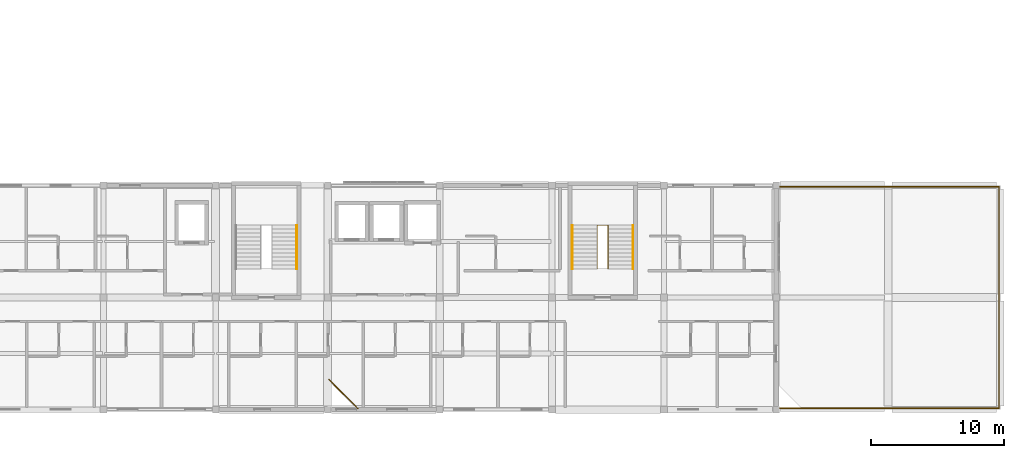
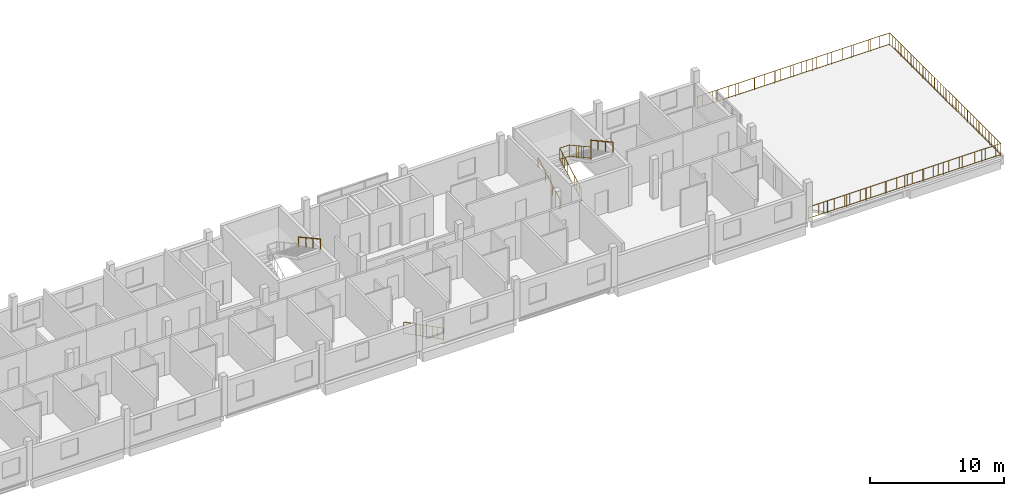
# One storey, part 19 of 20: 8 railings.
"""IFC4 building model written with IfcOpenShell, lengths in metres."""

from ifc_helpers import new_model, si_unit, derived_unit, direction, frame, origin, origin_2d, place, context, subcontext, project, spatial, circle, extrude, material, layer, layer_set, type_object, element, save


model = new_model("IFC4")

# Units and contexts
model_context = context("Model", 3, precision=1e-05, world=origin(), true_north=direction((0.0, 1.0)))
body_context = subcontext(model_context, "Body", "Model", "MODEL_VIEW")
ifc_project = project(units=[si_unit("LENGTHUNIT", "METRE"), si_unit("AREAUNIT", "SQUARE_METRE"), si_unit("VOLUMEUNIT", "CUBIC_METRE"), si_unit("PLANEANGLEUNIT", "RADIAN"), si_unit("MASSUNIT", "GRAM", prefix="KILO"), derived_unit("THERMALTRANSMITTANCEUNIT", [(si_unit("POWERUNIT", "WATT"), 1), (si_unit("LENGTHUNIT", "METRE"), -2), (si_unit("THERMODYNAMICTEMPERATUREUNIT", "KELVIN"), -1)])], contexts=[model_context])

# Site, building, storey
site_placement = place(None, origin())
site = spatial("IfcSite", under=ifc_project, at=site_placement, CompositionType="ELEMENT")
building_placement = place(site_placement, origin())
building = spatial("IfcBuilding", under=site, at=building_placement, Name="Barrovel Congress Hotel", CompositionType="ELEMENT")
storey_placement = place(building_placement, frame((0.0, 0.0, 39.89990234375)))
storey = spatial("IfcBuildingStorey", under=building, at=storey_placement, Name="L10", CompositionType="ELEMENT", Elevation=39.89990234375)

# Railings
ifc_material_1 = material(Name="Painted Architectural Steel", Category="steel")
ifc_layer_1 = layer(ifc_material_1, 0.080078125)
ifc_layer_set_1 = layer_set([ifc_layer_1], Name="Painted Architectural Steel")
railing_type_1 = type_object("IfcRailingType", Name="RAIL-GUARD-EXT", PredefinedType="BALUSTRADE", material=ifc_layer_set_1)
railing_1_placement = place(storey_placement, frame((117.699951171875, 4.300048828125, 0.0)))
element("IfcRailing", 1, at=railing_1_placement, inside=storey, type_object=railing_type_1, Name="L10 East Terrace Guardrail 1", PredefinedType="BALUSTRADE", context=body_context, shape_type="SweptSolid", body=[
    extrude(circle(Radius=0.02392578125, at=origin_2d()), frame((0.0, 0.0, 1.11572265625), z_axis=(1.0, 0.0, 0.0), x_axis=(0.0, 1.0, 0.0)), (0.0, 0.0, 1.0), 16.60009765625),
    extrude(circle(Radius=0.02392578125, at=origin_2d()), frame((0.0, 0.0, 0.10009765625), z_axis=(1.0, 0.0, 0.0), x_axis=(0.0, 1.0, 0.0)), (0.0, 0.0, 1.0), 16.60009765625),
    extrude(circle(Radius=0.010009765625, at=origin_2d()), frame((0.44873046875, 0.0, 0.10009765625)), (0.0, 0.0, 1.0), 0.99169921875),
    extrude(circle(Radius=0.010009765625, at=origin_2d()), frame((0.897216796875, 0.0, 0.10009765625)), (0.0, 0.0, 1.0), 0.99169921875),
    extrude(circle(Radius=0.010009765625, at=origin_2d()), frame((1.345947265625, 0.0, 0.10009765625)), (0.0, 0.0, 1.0), 0.99169921875),
    extrude(circle(Radius=0.010009765625, at=origin_2d()), frame((1.794677734375, 0.0, 0.10009765625)), (0.0, 0.0, 1.0), 0.99169921875),
    extrude(circle(Radius=0.010009765625, at=origin_2d()), frame((2.2431640625, 0.0, 0.10009765625)), (0.0, 0.0, 1.0), 0.99169921875),
    extrude(circle(Radius=0.010009765625, at=origin_2d()), frame((2.69189453125, 0.0, 0.10009765625)), (0.0, 0.0, 1.0), 0.99169921875),
    extrude(circle(Radius=0.010009765625, at=origin_2d()), frame((3.140625, 0.0, 0.10009765625)), (0.0, 0.0, 1.0), 0.99169921875),
    extrude(circle(Radius=0.010009765625, at=origin_2d()), frame((3.589111328125, 0.0, 0.10009765625)), (0.0, 0.0, 1.0), 0.99169921875),
    extrude(circle(Radius=0.010009765625, at=origin_2d()), frame((4.037841796875, 0.0, 0.10009765625)), (0.0, 0.0, 1.0), 0.99169921875),
    extrude(circle(Radius=0.010009765625, at=origin_2d()), frame((4.486572265625, 0.0, 0.10009765625)), (0.0, 0.0, 1.0), 0.99169921875),
    extrude(circle(Radius=0.010009765625, at=origin_2d()), frame((4.93505859375, 0.0, 0.10009765625)), (0.0, 0.0, 1.0), 0.99169921875),
    extrude(circle(Radius=0.010009765625, at=origin_2d()), frame((5.3837890625, 0.0, 0.10009765625)), (0.0, 0.0, 1.0), 0.99169921875),
    extrude(circle(Radius=0.010009765625, at=origin_2d()), frame((5.83251953125, 0.0, 0.10009765625)), (0.0, 0.0, 1.0), 0.99169921875),
    extrude(circle(Radius=0.010009765625, at=origin_2d()), frame((6.281005859375, 0.0, 0.10009765625)), (0.0, 0.0, 1.0), 0.99169921875),
    extrude(circle(Radius=0.010009765625, at=origin_2d()), frame((6.729736328125, 0.0, 0.10009765625)), (0.0, 0.0, 1.0), 0.99169921875),
    extrude(circle(Radius=0.010009765625, at=origin_2d()), frame((7.178466796875, 0.0, 0.10009765625)), (0.0, 0.0, 1.0), 0.99169921875),
    extrude(circle(Radius=0.010009765625, at=origin_2d()), frame((7.626953125, 0.0, 0.10009765625)), (0.0, 0.0, 1.0), 0.99169921875),
    extrude(circle(Radius=0.010009765625, at=origin_2d()), frame((8.07568359375, 0.0, 0.10009765625)), (0.0, 0.0, 1.0), 0.99169921875),
    extrude(circle(Radius=0.010009765625, at=origin_2d()), frame((8.5244140625, 0.0, 0.10009765625)), (0.0, 0.0, 1.0), 0.99169921875),
    extrude(circle(Radius=0.010009765625, at=origin_2d()), frame((8.97314453125, 0.0, 0.10009765625)), (0.0, 0.0, 1.0), 0.99169921875),
    extrude(circle(Radius=0.010009765625, at=origin_2d()), frame((9.421630859375, 0.0, 0.10009765625)), (0.0, 0.0, 1.0), 0.99169921875),
    extrude(circle(Radius=0.010009765625, at=origin_2d()), frame((9.870361328125, 0.0, 0.10009765625)), (0.0, 0.0, 1.0), 0.99169921875),
    extrude(circle(Radius=0.010009765625, at=origin_2d()), frame((10.319091796875, 0.0, 0.10009765625)), (0.0, 0.0, 1.0), 0.99169921875),
    extrude(circle(Radius=0.010009765625, at=origin_2d()), frame((10.767578125, 0.0, 0.10009765625)), (0.0, 0.0, 1.0), 0.99169921875),
    extrude(circle(Radius=0.010009765625, at=origin_2d()), frame((11.21630859375, 0.0, 0.10009765625)), (0.0, 0.0, 1.0), 0.99169921875),
    extrude(circle(Radius=0.010009765625, at=origin_2d()), frame((11.6650390625, 0.0, 0.10009765625)), (0.0, 0.0, 1.0), 0.99169921875),
    extrude(circle(Radius=0.010009765625, at=origin_2d()), frame((12.113525390625, 0.0, 0.10009765625)), (0.0, 0.0, 1.0), 0.99169921875),
    extrude(circle(Radius=0.010009765625, at=origin_2d()), frame((12.562255859375, 0.0, 0.10009765625)), (0.0, 0.0, 1.0), 0.99169921875),
    extrude(circle(Radius=0.010009765625, at=origin_2d()), frame((13.010986328125, 0.0, 0.10009765625)), (0.0, 0.0, 1.0), 0.99169921875),
    extrude(circle(Radius=0.010009765625, at=origin_2d()), frame((13.45947265625, 0.0, 0.10009765625)), (0.0, 0.0, 1.0), 0.99169921875),
    extrude(circle(Radius=0.010009765625, at=origin_2d()), frame((13.908203125, 0.0, 0.10009765625)), (0.0, 0.0, 1.0), 0.99169921875),
    extrude(circle(Radius=0.010009765625, at=origin_2d()), frame((14.35693359375, 0.0, 0.10009765625)), (0.0, 0.0, 1.0), 0.99169921875),
    extrude(circle(Radius=0.010009765625, at=origin_2d()), frame((14.805419921875, 0.0, 0.10009765625)), (0.0, 0.0, 1.0), 0.99169921875),
    extrude(circle(Radius=0.010009765625, at=origin_2d()), frame((15.254150390625, 0.0, 0.10009765625)), (0.0, 0.0, 1.0), 0.99169921875),
    extrude(circle(Radius=0.010009765625, at=origin_2d()), frame((15.702880859375, 0.0, 0.10009765625)), (0.0, 0.0, 1.0), 0.99169921875),
    extrude(circle(Radius=0.010009765625, at=origin_2d()), frame((16.1513671875, 0.0, 0.10009765625)), (0.0, 0.0, 1.0), 0.99169921875),
    extrude(circle(Radius=0.02099609375, at=origin_2d()), origin(), (0.0, 0.0, 1.0), 1.091796875),
    extrude(circle(Radius=0.02099609375, at=origin_2d()), frame((1.659912109375, 0.0, 0.0)), (0.0, 0.0, 1.0), 1.091796875),
    extrude(circle(Radius=0.02099609375, at=origin_2d()), frame((3.320068359375, 0.0, 0.0)), (0.0, 0.0, 1.0), 1.091796875),
    extrude(circle(Radius=0.02099609375, at=origin_2d()), frame((4.97998046875, 0.0, 0.0)), (0.0, 0.0, 1.0), 1.091796875),
    extrude(circle(Radius=0.02099609375, at=origin_2d()), frame((6.64013671875, 0.0, 0.0)), (0.0, 0.0, 1.0), 1.091796875),
    extrude(circle(Radius=0.02099609375, at=origin_2d()), frame((8.300048828125, 0.0, 0.0)), (0.0, 0.0, 1.0), 1.091796875),
    extrude(circle(Radius=0.02099609375, at=origin_2d()), frame((9.9599609375, 0.0, 0.0)), (0.0, 0.0, 1.0), 1.091796875),
    extrude(circle(Radius=0.02099609375, at=origin_2d()), frame((11.6201171875, 0.0, 0.0)), (0.0, 0.0, 1.0), 1.091796875),
    extrude(circle(Radius=0.02099609375, at=origin_2d()), frame((13.280029296875, 0.0, 0.0)), (0.0, 0.0, 1.0), 1.091796875),
    extrude(circle(Radius=0.02099609375, at=origin_2d()), frame((14.940185546875, 0.0, 0.0)), (0.0, 0.0, 1.0), 1.091796875),
    extrude(circle(Radius=0.02099609375, at=origin_2d()), frame((16.60009765625, 0.0, 0.0)), (0.0, 0.0, 1.0), 1.091796875),
])
railing_2_placement = place(storey_placement, frame((134.300048828125, 4.300048828125, 0.0)))
element("IfcRailing", 2, at=railing_2_placement, inside=storey, type_object=railing_type_1, Name="L10 East Terrace Guardrail 2", PredefinedType="BALUSTRADE", context=body_context, shape_type="SweptSolid", body=[
    extrude(circle(Radius=0.02392578125, at=origin_2d()), frame((0.0, 0.0, 1.11572265625), z_axis=(0.0, 1.0, 0.0), x_axis=(-1.0, 0.0, 0.0)), (0.0, 0.0, 1.0), 16.599853515625),
    extrude(circle(Radius=0.02392578125, at=origin_2d()), frame((0.0, 0.0, 0.10009765625), z_axis=(0.0, 1.0, 0.0), x_axis=(-1.0, 0.0, 0.0)), (0.0, 0.0, 1.0), 16.599853515625),
    extrude(circle(Radius=0.010009765625, at=origin_2d()), frame((0.0, 0.44873046875, 0.10009765625)), (0.0, 0.0, 1.0), 0.99169921875),
    extrude(circle(Radius=0.010009765625, at=origin_2d()), frame((0.0, 0.897216796875, 0.10009765625)), (0.0, 0.0, 1.0), 0.99169921875),
    extrude(circle(Radius=0.010009765625, at=origin_2d()), frame((0.0, 1.345947265625, 0.10009765625)), (0.0, 0.0, 1.0), 0.99169921875),
    extrude(circle(Radius=0.010009765625, at=origin_2d()), frame((0.0, 1.794677734375, 0.10009765625)), (0.0, 0.0, 1.0), 0.99169921875),
    extrude(circle(Radius=0.010009765625, at=origin_2d()), frame((0.0, 2.2431640625, 0.10009765625)), (0.0, 0.0, 1.0), 0.99169921875),
    extrude(circle(Radius=0.010009765625, at=origin_2d()), frame((0.0, 2.69189453125, 0.10009765625)), (0.0, 0.0, 1.0), 0.99169921875),
    extrude(circle(Radius=0.010009765625, at=origin_2d()), frame((0.0, 3.140625, 0.10009765625)), (0.0, 0.0, 1.0), 0.99169921875),
    extrude(circle(Radius=0.010009765625, at=origin_2d()), frame((0.0, 3.589111328125, 0.10009765625)), (0.0, 0.0, 1.0), 0.99169921875),
    extrude(circle(Radius=0.010009765625, at=origin_2d()), frame((0.0, 4.037841796875, 0.10009765625)), (0.0, 0.0, 1.0), 0.99169921875),
    extrude(circle(Radius=0.010009765625, at=origin_2d()), frame((0.0, 4.486328125, 0.10009765625)), (0.0, 0.0, 1.0), 0.99169921875),
    extrude(circle(Radius=0.010009765625, at=origin_2d()), frame((0.0, 4.93505859375, 0.10009765625)), (0.0, 0.0, 1.0), 0.99169921875),
    extrude(circle(Radius=0.010009765625, at=origin_2d()), frame((0.0, 5.3837890625, 0.10009765625)), (0.0, 0.0, 1.0), 0.99169921875),
    extrude(circle(Radius=0.010009765625, at=origin_2d()), frame((0.0, 5.832275390625, 0.10009765625)), (0.0, 0.0, 1.0), 0.99169921875),
    extrude(circle(Radius=0.010009765625, at=origin_2d()), frame((0.0, 6.281005859375, 0.10009765625)), (0.0, 0.0, 1.0), 0.99169921875),
    extrude(circle(Radius=0.010009765625, at=origin_2d()), frame((0.0, 6.729736328125, 0.10009765625)), (0.0, 0.0, 1.0), 0.99169921875),
    extrude(circle(Radius=0.010009765625, at=origin_2d()), frame((0.0, 7.17822265625, 0.10009765625)), (0.0, 0.0, 1.0), 0.99169921875),
    extrude(circle(Radius=0.010009765625, at=origin_2d()), frame((0.0, 7.626953125, 0.10009765625)), (0.0, 0.0, 1.0), 0.99169921875),
    extrude(circle(Radius=0.010009765625, at=origin_2d()), frame((0.0, 8.07568359375, 0.10009765625)), (0.0, 0.0, 1.0), 0.99169921875),
    extrude(circle(Radius=0.010009765625, at=origin_2d()), frame((0.0, 8.524169921875, 0.10009765625)), (0.0, 0.0, 1.0), 0.99169921875),
    extrude(circle(Radius=0.010009765625, at=origin_2d()), frame((0.0, 8.972900390625, 0.10009765625)), (0.0, 0.0, 1.0), 0.99169921875),
    extrude(circle(Radius=0.010009765625, at=origin_2d()), frame((0.0, 9.421630859375, 0.10009765625)), (0.0, 0.0, 1.0), 0.99169921875),
    extrude(circle(Radius=0.010009765625, at=origin_2d()), frame((0.0, 9.8701171875, 0.10009765625)), (0.0, 0.0, 1.0), 0.99169921875),
    extrude(circle(Radius=0.010009765625, at=origin_2d()), frame((0.0, 10.31884765625, 0.10009765625)), (0.0, 0.0, 1.0), 0.99169921875),
    extrude(circle(Radius=0.010009765625, at=origin_2d()), frame((0.0, 10.767578125, 0.10009765625)), (0.0, 0.0, 1.0), 0.99169921875),
    extrude(circle(Radius=0.010009765625, at=origin_2d()), frame((0.0, 11.216064453125, 0.10009765625)), (0.0, 0.0, 1.0), 0.99169921875),
    extrude(circle(Radius=0.010009765625, at=origin_2d()), frame((0.0, 11.664794921875, 0.10009765625)), (0.0, 0.0, 1.0), 0.99169921875),
    extrude(circle(Radius=0.010009765625, at=origin_2d()), frame((0.0, 12.113525390625, 0.10009765625)), (0.0, 0.0, 1.0), 0.99169921875),
    extrude(circle(Radius=0.010009765625, at=origin_2d()), frame((0.0, 12.56201171875, 0.10009765625)), (0.0, 0.0, 1.0), 0.99169921875),
    extrude(circle(Radius=0.010009765625, at=origin_2d()), frame((0.0, 13.0107421875, 0.10009765625)), (0.0, 0.0, 1.0), 0.99169921875),
    extrude(circle(Radius=0.010009765625, at=origin_2d()), frame((0.0, 13.459228515625, 0.10009765625)), (0.0, 0.0, 1.0), 0.99169921875),
    extrude(circle(Radius=0.010009765625, at=origin_2d()), frame((0.0, 13.907958984375, 0.10009765625)), (0.0, 0.0, 1.0), 0.99169921875),
    extrude(circle(Radius=0.010009765625, at=origin_2d()), frame((0.0, 14.356689453125, 0.10009765625)), (0.0, 0.0, 1.0), 0.99169921875),
    extrude(circle(Radius=0.010009765625, at=origin_2d()), frame((0.0, 14.80517578125, 0.10009765625)), (0.0, 0.0, 1.0), 0.99169921875),
    extrude(circle(Radius=0.010009765625, at=origin_2d()), frame((0.0, 15.25390625, 0.10009765625)), (0.0, 0.0, 1.0), 0.99169921875),
    extrude(circle(Radius=0.010009765625, at=origin_2d()), frame((0.0, 15.70263671875, 0.10009765625)), (0.0, 0.0, 1.0), 0.99169921875),
    extrude(circle(Radius=0.010009765625, at=origin_2d()), frame((0.0, 16.151123046875, 0.10009765625)), (0.0, 0.0, 1.0), 0.99169921875),
    extrude(circle(Radius=0.02099609375, at=origin_2d()), origin(), (0.0, 0.0, 1.0), 1.091796875),
    extrude(circle(Radius=0.02099609375, at=origin_2d()), frame((0.0, 1.659912109375, 0.0)), (0.0, 0.0, 1.0), 1.091796875),
    extrude(circle(Radius=0.02099609375, at=origin_2d()), frame((0.0, 3.320068359375, 0.0)), (0.0, 0.0, 1.0), 1.091796875),
    extrude(circle(Radius=0.02099609375, at=origin_2d()), frame((0.0, 4.97998046875, 0.0)), (0.0, 0.0, 1.0), 1.091796875),
    extrude(circle(Radius=0.02099609375, at=origin_2d()), frame((0.0, 6.639892578125, 0.0)), (0.0, 0.0, 1.0), 1.091796875),
    extrude(circle(Radius=0.02099609375, at=origin_2d()), frame((0.0, 8.2998046875, 0.0)), (0.0, 0.0, 1.0), 1.091796875),
    extrude(circle(Radius=0.02099609375, at=origin_2d()), frame((0.0, 9.9599609375, 0.0)), (0.0, 0.0, 1.0), 1.091796875),
    extrude(circle(Radius=0.02099609375, at=origin_2d()), frame((0.0, 11.619873046875, 0.0)), (0.0, 0.0, 1.0), 1.091796875),
    extrude(circle(Radius=0.02099609375, at=origin_2d()), frame((0.0, 13.27978515625, 0.0)), (0.0, 0.0, 1.0), 1.091796875),
    extrude(circle(Radius=0.02099609375, at=origin_2d()), frame((0.0, 14.93994140625, 0.0)), (0.0, 0.0, 1.0), 1.091796875),
    extrude(circle(Radius=0.02099609375, at=origin_2d()), frame((0.0, 16.599853515625, 0.0)), (0.0, 0.0, 1.0), 1.091796875),
])
railing_3_placement = place(storey_placement, frame((134.300048828125, 20.89990234375, 0.0)))
element("IfcRailing", 3, at=railing_3_placement, inside=storey, type_object=railing_type_1, Name="L10 East Terrace Guardrail 3", PredefinedType="BALUSTRADE", context=body_context, shape_type="SweptSolid", body=[
    extrude(circle(Radius=0.02392578125, at=origin_2d()), frame((0.0, 0.0, 1.11572265625), z_axis=(-1.0, 0.0, 0.0), x_axis=(0.0, -1.0, 0.0)), (0.0, 0.0, 1.0), 16.60009765625),
    extrude(circle(Radius=0.02392578125, at=origin_2d()), frame((0.0, 0.0, 0.10009765625), z_axis=(-1.0, 0.0, 0.0), x_axis=(0.0, -1.0, 0.0)), (0.0, 0.0, 1.0), 16.60009765625),
    extrude(circle(Radius=0.010009765625, at=origin_2d()), frame((-0.44873046875, 0.0, 0.10009765625)), (0.0, 0.0, 1.0), 0.99169921875),
    extrude(circle(Radius=0.010009765625, at=origin_2d()), frame((-0.897216796875, 0.0, 0.10009765625)), (0.0, 0.0, 1.0), 0.99169921875),
    extrude(circle(Radius=0.010009765625, at=origin_2d()), frame((-1.345947265625, 0.0, 0.10009765625)), (0.0, 0.0, 1.0), 0.99169921875),
    extrude(circle(Radius=0.010009765625, at=origin_2d()), frame((-1.794677734375, 0.0, 0.10009765625)), (0.0, 0.0, 1.0), 0.99169921875),
    extrude(circle(Radius=0.010009765625, at=origin_2d()), frame((-2.2431640625, 0.0, 0.10009765625)), (0.0, 0.0, 1.0), 0.99169921875),
    extrude(circle(Radius=0.010009765625, at=origin_2d()), frame((-2.69189453125, 0.0, 0.10009765625)), (0.0, 0.0, 1.0), 0.99169921875),
    extrude(circle(Radius=0.010009765625, at=origin_2d()), frame((-3.140625, 0.0, 0.10009765625)), (0.0, 0.0, 1.0), 0.99169921875),
    extrude(circle(Radius=0.010009765625, at=origin_2d()), frame((-3.589111328125, 0.0, 0.10009765625)), (0.0, 0.0, 1.0), 0.99169921875),
    extrude(circle(Radius=0.010009765625, at=origin_2d()), frame((-4.037841796875, 0.0, 0.10009765625)), (0.0, 0.0, 1.0), 0.99169921875),
    extrude(circle(Radius=0.010009765625, at=origin_2d()), frame((-4.486572265625, 0.0, 0.10009765625)), (0.0, 0.0, 1.0), 0.99169921875),
    extrude(circle(Radius=0.010009765625, at=origin_2d()), frame((-4.93505859375, 0.0, 0.10009765625)), (0.0, 0.0, 1.0), 0.99169921875),
    extrude(circle(Radius=0.010009765625, at=origin_2d()), frame((-5.3837890625, 0.0, 0.10009765625)), (0.0, 0.0, 1.0), 0.99169921875),
    extrude(circle(Radius=0.010009765625, at=origin_2d()), frame((-5.83251953125, 0.0, 0.10009765625)), (0.0, 0.0, 1.0), 0.99169921875),
    extrude(circle(Radius=0.010009765625, at=origin_2d()), frame((-6.281005859375, 0.0, 0.10009765625)), (0.0, 0.0, 1.0), 0.99169921875),
    extrude(circle(Radius=0.010009765625, at=origin_2d()), frame((-6.729736328125, 0.0, 0.10009765625)), (0.0, 0.0, 1.0), 0.99169921875),
    extrude(circle(Radius=0.010009765625, at=origin_2d()), frame((-7.178466796875, 0.0, 0.10009765625)), (0.0, 0.0, 1.0), 0.99169921875),
    extrude(circle(Radius=0.010009765625, at=origin_2d()), frame((-7.626953125, 0.0, 0.10009765625)), (0.0, 0.0, 1.0), 0.99169921875),
    extrude(circle(Radius=0.010009765625, at=origin_2d()), frame((-8.07568359375, 0.0, 0.10009765625)), (0.0, 0.0, 1.0), 0.99169921875),
    extrude(circle(Radius=0.010009765625, at=origin_2d()), frame((-8.5244140625, 0.0, 0.10009765625)), (0.0, 0.0, 1.0), 0.99169921875),
    extrude(circle(Radius=0.010009765625, at=origin_2d()), frame((-8.97314453125, 0.0, 0.10009765625)), (0.0, 0.0, 1.0), 0.99169921875),
    extrude(circle(Radius=0.010009765625, at=origin_2d()), frame((-9.421630859375, 0.0, 0.10009765625)), (0.0, 0.0, 1.0), 0.99169921875),
    extrude(circle(Radius=0.010009765625, at=origin_2d()), frame((-9.870361328125, 0.0, 0.10009765625)), (0.0, 0.0, 1.0), 0.99169921875),
    extrude(circle(Radius=0.010009765625, at=origin_2d()), frame((-10.319091796875, 0.0, 0.10009765625)), (0.0, 0.0, 1.0), 0.99169921875),
    extrude(circle(Radius=0.010009765625, at=origin_2d()), frame((-10.767578125, 0.0, 0.10009765625)), (0.0, 0.0, 1.0), 0.99169921875),
    extrude(circle(Radius=0.010009765625, at=origin_2d()), frame((-11.21630859375, 0.0, 0.10009765625)), (0.0, 0.0, 1.0), 0.99169921875),
    extrude(circle(Radius=0.010009765625, at=origin_2d()), frame((-11.6650390625, 0.0, 0.10009765625)), (0.0, 0.0, 1.0), 0.99169921875),
    extrude(circle(Radius=0.010009765625, at=origin_2d()), frame((-12.113525390625, 0.0, 0.10009765625)), (0.0, 0.0, 1.0), 0.99169921875),
    extrude(circle(Radius=0.010009765625, at=origin_2d()), frame((-12.562255859375, 0.0, 0.10009765625)), (0.0, 0.0, 1.0), 0.99169921875),
    extrude(circle(Radius=0.010009765625, at=origin_2d()), frame((-13.010986328125, 0.0, 0.10009765625)), (0.0, 0.0, 1.0), 0.99169921875),
    extrude(circle(Radius=0.010009765625, at=origin_2d()), frame((-13.45947265625, 0.0, 0.10009765625)), (0.0, 0.0, 1.0), 0.99169921875),
    extrude(circle(Radius=0.010009765625, at=origin_2d()), frame((-13.908203125, 0.0, 0.10009765625)), (0.0, 0.0, 1.0), 0.99169921875),
    extrude(circle(Radius=0.010009765625, at=origin_2d()), frame((-14.35693359375, 0.0, 0.10009765625)), (0.0, 0.0, 1.0), 0.99169921875),
    extrude(circle(Radius=0.010009765625, at=origin_2d()), frame((-14.805419921875, 0.0, 0.10009765625)), (0.0, 0.0, 1.0), 0.99169921875),
    extrude(circle(Radius=0.010009765625, at=origin_2d()), frame((-15.254150390625, 0.0, 0.10009765625)), (0.0, 0.0, 1.0), 0.99169921875),
    extrude(circle(Radius=0.010009765625, at=origin_2d()), frame((-15.702880859375, 0.0, 0.10009765625)), (0.0, 0.0, 1.0), 0.99169921875),
    extrude(circle(Radius=0.010009765625, at=origin_2d()), frame((-16.1513671875, 0.0, 0.10009765625)), (0.0, 0.0, 1.0), 0.99169921875),
    extrude(circle(Radius=0.02099609375, at=origin_2d()), origin(), (0.0, 0.0, 1.0), 1.091796875),
    extrude(circle(Radius=0.02099609375, at=origin_2d()), frame((-1.659912109375, 0.0, 0.0)), (0.0, 0.0, 1.0), 1.091796875),
    extrude(circle(Radius=0.02099609375, at=origin_2d()), frame((-3.320068359375, 0.0, 0.0)), (0.0, 0.0, 1.0), 1.091796875),
    extrude(circle(Radius=0.02099609375, at=origin_2d()), frame((-4.97998046875, 0.0, 0.0)), (0.0, 0.0, 1.0), 1.091796875),
    extrude(circle(Radius=0.02099609375, at=origin_2d()), frame((-6.64013671875, 0.0, 0.0)), (0.0, 0.0, 1.0), 1.091796875),
    extrude(circle(Radius=0.02099609375, at=origin_2d()), frame((-8.300048828125, 0.0, 0.0)), (0.0, 0.0, 1.0), 1.091796875),
    extrude(circle(Radius=0.02099609375, at=origin_2d()), frame((-9.9599609375, 0.0, 0.0)), (0.0, 0.0, 1.0), 1.091796875),
    extrude(circle(Radius=0.02099609375, at=origin_2d()), frame((-11.6201171875, 0.0, 0.0)), (0.0, 0.0, 1.0), 1.091796875),
    extrude(circle(Radius=0.02099609375, at=origin_2d()), frame((-13.280029296875, 0.0, 0.0)), (0.0, 0.0, 1.0), 1.091796875),
    extrude(circle(Radius=0.02099609375, at=origin_2d()), frame((-14.940185546875, 0.0, 0.0)), (0.0, 0.0, 1.0), 1.091796875),
    extrude(circle(Radius=0.02099609375, at=origin_2d()), frame((-16.60009765625, 0.0, 0.0)), (0.0, 0.0, 1.0), 1.091796875),
])
ifc_layer_2 = layer(ifc_material_1, 0.070068359375)
ifc_layer_set_2 = layer_set([ifc_layer_2], Name="Painted Architectural Steel")
railing_type_2 = type_object("IfcRailingType", Name="RAIL-GUARD-INT", PredefinedType="BALUSTRADE", material=ifc_layer_set_2)
railing_4_placement = place(storey_placement, frame((104.199951171875, 14.739990234375, 0.0)))
element("IfcRailing", 4, at=railing_4_placement, inside=storey, type_object=railing_type_2, Name="STAIR:XS-03:L10:GR-W", PredefinedType="BALUSTRADE", context=body_context, shape_type="SweptSolid", body=[
    extrude(circle(Radius=0.02392578125, at=origin_2d()), frame((0.0, 0.0, 1.11572265625), z_axis=(0.0, 0.876041855244, 0.482235075311), x_axis=(-1.0, 0.0, 0.0)), (0.0, 0.0, 1.0), 3.732666015625),
    extrude(circle(Radius=0.02392578125, at=origin_2d()), frame((0.0, 0.0, 0.10009765625), z_axis=(0.0, 0.876041855244, 0.482235075311), x_axis=(-1.0, 0.0, 0.0)), (0.0, 0.0, 1.0), 3.732666015625),
    extrude(circle(Radius=0.010009765625, at=origin_2d()), frame((0.0, 0.36328125, 0.300048828125)), (0.0, 0.0, 1.0), 0.99169921875),
    extrude(circle(Radius=0.010009765625, at=origin_2d()), frame((0.0, 0.7265625, 0.5)), (0.0, 0.0, 1.0), 0.99169921875),
    extrude(circle(Radius=0.010009765625, at=origin_2d()), frame((0.0, 1.090087890625, 0.699951171875)), (0.0, 0.0, 1.0), 0.99169921875),
    extrude(circle(Radius=0.010009765625, at=origin_2d()), frame((0.0, 1.453369140625, 0.89990234375)), (0.0, 0.0, 1.0), 0.99169921875),
    extrude(circle(Radius=0.010009765625, at=origin_2d()), frame((0.0, 1.816650390625, 1.10009765625)), (0.0, 0.0, 1.0), 0.99169921875),
    extrude(circle(Radius=0.010009765625, at=origin_2d()), frame((0.0, 2.179931640625, 1.300048828125)), (0.0, 0.0, 1.0), 0.99169921875),
    extrude(circle(Radius=0.010009765625, at=origin_2d()), frame((0.0, 2.54345703125, 1.5)), (0.0, 0.0, 1.0), 0.99169921875),
    extrude(circle(Radius=0.010009765625, at=origin_2d()), frame((0.0, 2.90673828125, 1.699951171875)), (0.0, 0.0, 1.0), 0.99169921875),
    extrude(circle(Radius=0.02392578125, at=origin_2d()), frame((0.0, 3.27001953125, 2.916015625), z_axis=(1.0, 0.0, 0.0), x_axis=(0.0, 1.0, 0.0)), (0.0, 0.0, 1.0), 0.800048828125),
    extrude(circle(Radius=0.02392578125, at=origin_2d()), frame((0.0, 3.27001953125, 1.900146484375), z_axis=(1.0, 0.0, 0.0), x_axis=(0.0, 1.0, 0.0)), (0.0, 0.0, 1.0), 0.800048828125),
    extrude(circle(Radius=0.010009765625, at=origin_2d()), frame((0.39990234375, 3.27001953125, 1.900146484375)), (0.0, 0.0, 1.0), 0.99169921875),
    extrude(circle(Radius=0.02392578125, at=origin_2d()), frame((0.800048828125, 3.27001953125, 2.916015625), z_axis=(0.0, -0.876041855244, 0.482235075311), x_axis=(1.0, 0.0, 0.0)), (0.0, 0.0, 1.0), 3.732666015625),
    extrude(circle(Radius=0.02392578125, at=origin_2d()), frame((0.800048828125, 3.27001953125, 1.900146484375), z_axis=(0.0, -0.876041855244, 0.482235075311), x_axis=(1.0, 0.0, 0.0)), (0.0, 0.0, 1.0), 3.732666015625),
    extrude(circle(Radius=0.010009765625, at=origin_2d()), frame((0.800048828125, 2.90673828125, 2.10009765625)), (0.0, 0.0, 1.0), 0.99169921875),
    extrude(circle(Radius=0.010009765625, at=origin_2d()), frame((0.800048828125, 2.54345703125, 2.300048828125)), (0.0, 0.0, 1.0), 0.99169921875),
    extrude(circle(Radius=0.010009765625, at=origin_2d()), frame((0.800048828125, 2.179931640625, 2.5)), (0.0, 0.0, 1.0), 0.99169921875),
    extrude(circle(Radius=0.010009765625, at=origin_2d()), frame((0.800048828125, 1.816650390625, 2.699951171875)), (0.0, 0.0, 1.0), 0.99169921875),
    extrude(circle(Radius=0.010009765625, at=origin_2d()), frame((0.800048828125, 1.453369140625, 2.900146484375)), (0.0, 0.0, 1.0), 0.99169921875),
    extrude(circle(Radius=0.010009765625, at=origin_2d()), frame((0.800048828125, 1.090087890625, 3.10009765625)), (0.0, 0.0, 1.0), 0.99169921875),
    extrude(circle(Radius=0.010009765625, at=origin_2d()), frame((0.800048828125, 0.7265625, 3.300048828125)), (0.0, 0.0, 1.0), 0.99169921875),
    extrude(circle(Radius=0.010009765625, at=origin_2d()), frame((0.800048828125, 0.36328125, 3.5)), (0.0, 0.0, 1.0), 0.99169921875),
    extrude(circle(Radius=0.02099609375, at=origin_2d()), origin(), (0.0, 0.0, 1.0), 1.091796875),
    extrude(circle(Radius=0.02099609375, at=origin_2d()), frame((0.0, 1.090087890625, 0.60009765625)), (0.0, 0.0, 1.0), 1.091796875),
    extrude(circle(Radius=0.02099609375, at=origin_2d()), frame((0.0, 2.179931640625, 1.199951171875)), (0.0, 0.0, 1.0), 1.091796875),
    extrude(circle(Radius=0.02099609375, at=origin_2d()), frame((0.0, 3.27001953125, 1.800048828125)), (0.0, 0.0, 1.0), 1.091796875),
    extrude(circle(Radius=0.02099609375, at=origin_2d()), frame((0.800048828125, 3.27001953125, 1.800048828125)), (0.0, 0.0, 1.0), 1.091796875),
    extrude(circle(Radius=0.02099609375, at=origin_2d()), frame((0.800048828125, 2.179931640625, 2.400146484375)), (0.0, 0.0, 1.0), 1.091796875),
    extrude(circle(Radius=0.02099609375, at=origin_2d()), frame((0.800048828125, 1.090087890625, 3.0)), (0.0, 0.0, 1.0), 1.091796875),
    extrude(circle(Radius=0.02099609375, at=origin_2d()), frame((0.800048828125, 0.0, 3.60009765625)), (0.0, 0.0, 1.0), 1.091796875),
])
railing_5_placement = place(storey_placement, frame((86.25, 4.280029296875, 0.0)))
element("IfcRailing", 5, at=railing_5_placement, inside=storey, type_object=railing_type_2, Name="RAIL:L10:CG-HS2", PredefinedType="BALUSTRADE", context=body_context, shape_type="SweptSolid", body=[
    extrude(circle(Radius=0.02392578125, at=origin_2d()), frame((0.0, 0.0, 1.11572265625), z_axis=(-0.707106781187, 0.707106781187, 0.0), x_axis=(-0.707106781187, -0.707106781187, 0.0)), (0.0, 0.0, 1.0), 3.06884765625),
    extrude(circle(Radius=0.02392578125, at=origin_2d()), frame((0.0, 0.0, 0.10009765625), z_axis=(-0.707106781187, 0.707106781187, 0.0), x_axis=(-0.707106781187, -0.707106781187, 0.0)), (0.0, 0.0, 1.0), 3.06884765625),
    extrude(circle(Radius=0.010009765625, at=origin_2d()), frame((-0.31005859375, 0.31005859375, 0.10009765625)), (0.0, 0.0, 1.0), 0.99169921875),
    extrude(circle(Radius=0.010009765625, at=origin_2d()), frame((-0.619873046875, 0.619873046875, 0.10009765625)), (0.0, 0.0, 1.0), 0.99169921875),
    extrude(circle(Radius=0.010009765625, at=origin_2d()), frame((-0.929931640625, 0.929931640625, 0.10009765625)), (0.0, 0.0, 1.0), 0.99169921875),
    extrude(circle(Radius=0.010009765625, at=origin_2d()), frame((-1.239990234375, 1.239990234375, 0.10009765625)), (0.0, 0.0, 1.0), 0.99169921875),
    extrude(circle(Radius=0.010009765625, at=origin_2d()), frame((-1.550048828125, 1.550048828125, 0.10009765625)), (0.0, 0.0, 1.0), 0.99169921875),
    extrude(circle(Radius=0.010009765625, at=origin_2d()), frame((-1.85986328125, 1.85986328125, 0.10009765625)), (0.0, 0.0, 1.0), 0.99169921875),
    extrude(circle(Radius=0.02099609375, at=origin_2d()), origin(), (0.0, 0.0, 1.0), 1.091796875),
    extrude(circle(Radius=0.02099609375, at=origin_2d()), frame((-1.0849609375, 1.0849609375, 0.0)), (0.0, 0.0, 1.0), 1.091796875),
    extrude(circle(Radius=0.02099609375, at=origin_2d()), frame((-2.169921875, 2.169921875, 0.0)), (0.0, 0.0, 1.0), 1.091796875),
])
ifc_material_2 = material(Name="Brushed Stainless Steel", Category="steel")
ifc_layer_3 = layer(ifc_material_2, 0.050048828125)
ifc_layer_set_3 = layer_set([ifc_layer_3], Name="Brushed Stainless Steel")
railing_type_3 = type_object("IfcRailingType", Name="RAIL-HAND", PredefinedType="HANDRAIL", material=ifc_layer_set_3)
railing_6_placement = place(storey_placement, frame((81.679931640625, 18.010009765625, 1.800048828125)))
element("IfcRailing", 6, at=railing_6_placement, inside=storey, type_object=railing_type_3, Name="STAIR:XS-02:L10:HR-2", PredefinedType="HANDRAIL", context=body_context, shape_type="SweptSolid", body=[
    extrude(circle(Radius=0.02392578125, at=origin_2d()), frame((0.0, 0.0, 0.89599609375), z_axis=(0.0, -0.876041855244, 0.482235075311), x_axis=(1.0, 0.0, 0.0)), (0.0, 0.0, 1.0), 3.732666015625),
    extrude(circle(Radius=0.02099609375, at=origin_2d()), origin(), (0.0, 0.0, 1.0), 0.871826171875),
    extrude(circle(Radius=0.02099609375, at=origin_2d()), frame((0.0, -1.090087890625, 0.60009765625)), (0.0, 0.0, 1.0), 0.871826171875),
    extrude(circle(Radius=0.02099609375, at=origin_2d()), frame((0.0, -2.179931640625, 1.199951171875)), (0.0, 0.0, 1.0), 0.871826171875),
    extrude(circle(Radius=0.02099609375, at=origin_2d()), frame((0.0, -3.27001953125, 1.800048828125)), (0.0, 0.0, 1.0), 0.871826171875),
])
railing_7_placement = place(storey_placement, frame((102.320068359375, 14.739990234375, 0.0)))
element("IfcRailing", 7, at=railing_7_placement, inside=storey, type_object=railing_type_3, Name="STAIR:XS-03:L10:HR-1", PredefinedType="HANDRAIL", context=body_context, shape_type="SweptSolid", body=[
    extrude(circle(Radius=0.02392578125, at=origin_2d()), frame((0.0, 0.0, 0.89599609375), z_axis=(0.0, 0.876041855244, 0.482235075311), x_axis=(-1.0, 0.0, 0.0)), (0.0, 0.0, 1.0), 3.732666015625),
    extrude(circle(Radius=0.02099609375, at=origin_2d()), origin(), (0.0, 0.0, 1.0), 0.871826171875),
    extrude(circle(Radius=0.02099609375, at=origin_2d()), frame((0.0, 1.090087890625, 0.60009765625)), (0.0, 0.0, 1.0), 0.871826171875),
    extrude(circle(Radius=0.02099609375, at=origin_2d()), frame((0.0, 2.179931640625, 1.199951171875)), (0.0, 0.0, 1.0), 0.871826171875),
    extrude(circle(Radius=0.02099609375, at=origin_2d()), frame((0.0, 3.27001953125, 1.800048828125)), (0.0, 0.0, 1.0), 0.871826171875),
])
railing_8_placement = place(storey_placement, frame((106.8798828125, 18.010009765625, 1.800048828125)))
element("IfcRailing", 8, at=railing_8_placement, inside=storey, type_object=railing_type_3, Name="STAIR:XS-03:L10:HR-2", PredefinedType="HANDRAIL", context=body_context, shape_type="SweptSolid", body=[
    extrude(circle(Radius=0.02392578125, at=origin_2d()), frame((0.0, 0.0, 0.89599609375), z_axis=(0.0, -0.876041855244, 0.482235075311), x_axis=(1.0, 0.0, 0.0)), (0.0, 0.0, 1.0), 3.732666015625),
    extrude(circle(Radius=0.02099609375, at=origin_2d()), origin(), (0.0, 0.0, 1.0), 0.871826171875),
    extrude(circle(Radius=0.02099609375, at=origin_2d()), frame((0.0, -1.090087890625, 0.60009765625)), (0.0, 0.0, 1.0), 0.871826171875),
    extrude(circle(Radius=0.02099609375, at=origin_2d()), frame((0.0, -2.179931640625, 1.199951171875)), (0.0, 0.0, 1.0), 0.871826171875),
    extrude(circle(Radius=0.02099609375, at=origin_2d()), frame((0.0, -3.27001953125, 1.800048828125)), (0.0, 0.0, 1.0), 0.871826171875),
])

save(model, "model.ifc")
